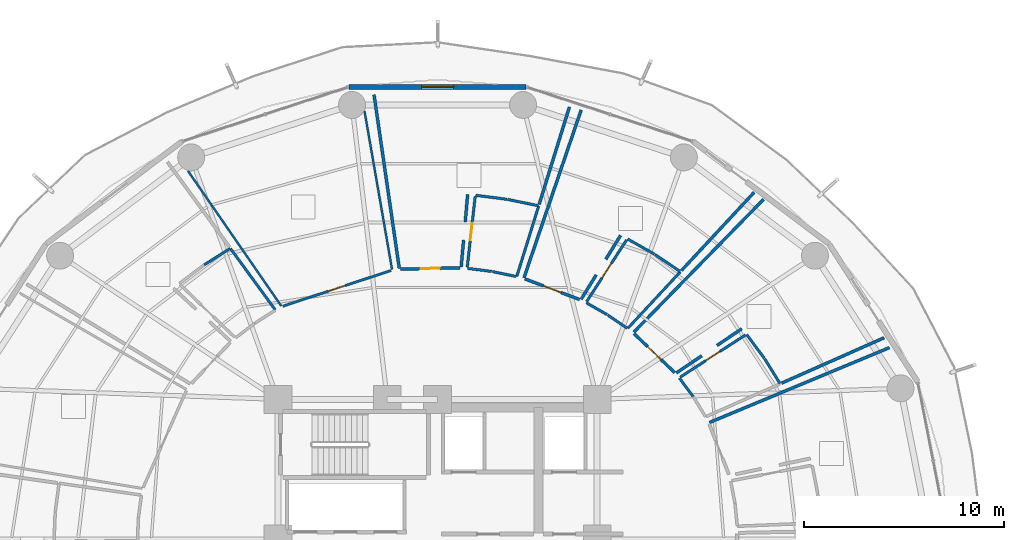
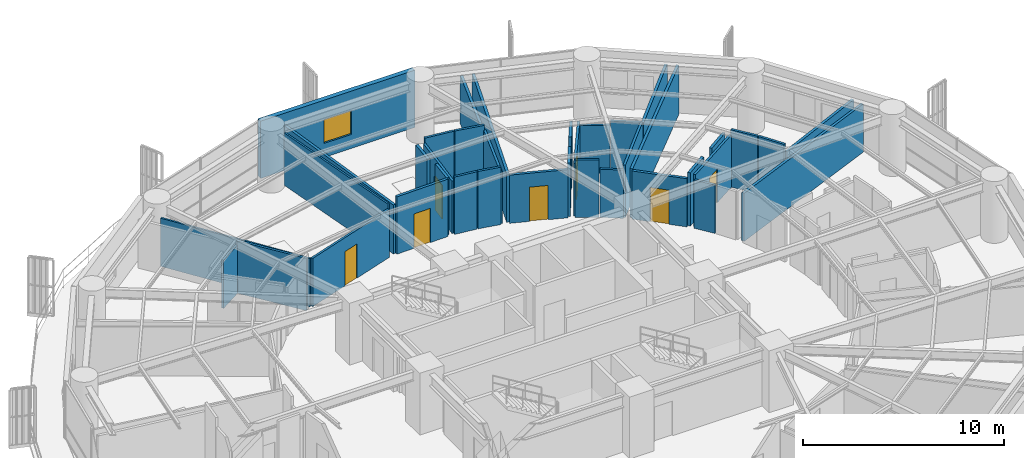
# One storey, part 30 of 35: 38 walls, 7 doors, 1 window, 8 openings.
"""IFC4 building model written with IfcOpenShell, lengths in metres."""

import ifcopenshell
import ifcopenshell.guid

model = None  # the IFC model being written
_history = None  # IfcOwnerHistory: only IFC2X3 demands one
_inside = {}  # id of a spatial element -> (the spatial element, [elements in it])
_under = {}  # id of a project, library or spatial element -> (it, [spatial elements below it])
_declared = {}  # id of a project -> (the project, [libraries it declares])
_typed = {}  # id of a type object -> (the type object, [elements of that type])
_made_of = {}  # id of a material, layer set ... -> (it, [elements and type objects made of it])


def new_model(schema):
    """Start an empty IFC model of exactly this schema.

    Asked for "IFC4X3", IfcOpenShell would pick the latest addendum, in which some entities
    have other attributes; the version numbers below select the first issue.
    IFC2X3 requires an IfcOwnerHistory on every rooted entity: one is made here for all.
    """
    global model, _history
    if schema == "IFC4X3":
        model = ifcopenshell.file(schema_version=(4, 3, 0, 0))
    else:
        model = ifcopenshell.file(schema=schema)
    _inside.clear()
    _under.clear()
    _declared.clear()
    _typed.clear()
    _made_of.clear()
    _history = None
    if model.schema == "IFC2X3":
        org = make("IfcOrganization", Name="unknown")
        user = make(
            "IfcPersonAndOrganization",
            ThePerson=make("IfcPerson", FamilyName="unknown"),
            TheOrganization=org,
        )
        app = make(
            "IfcApplication",
            ApplicationDeveloper=org,
            Version="unknown",
            ApplicationFullName="unknown",
            ApplicationIdentifier="unknown",
        )
        _history = make(
            "IfcOwnerHistory",
            OwningUser=user,
            OwningApplication=app,
            ChangeAction="ADDED",
            CreationDate=0,
        )
    return model


def make(cls, **values):
    """One entity of the class cls with the attributes given. An attribute that is None is left unset."""
    return model.create_entity(
        cls, **{name: value for name, value in values.items() if value is not None}
    )


def rooted(cls, **values):
    """An entity with a GlobalId (a new one), such as an element, a storey or a relation."""
    return make(cls, GlobalId=ifcopenshell.guid.new(), OwnerHistory=_history, **values)


def si_unit(unit_type, name, prefix=None):
    """IfcSIUnit, for example si_unit("LENGTHUNIT", "METRE", prefix="MILLI")."""
    return make("IfcSIUnit", UnitType=unit_type, Prefix=prefix, Name=name)


def assignment(units):
    """IfcUnitAssignment: the units of a project."""
    return None if units is None else make("IfcUnitAssignment", Units=units)


def point(xyz):
    """IfcCartesianPoint."""
    return None if xyz is None else make("IfcCartesianPoint", Coordinates=xyz)


def direction(xyz):
    """IfcDirection."""
    return None if xyz is None else make("IfcDirection", DirectionRatios=xyz)


def frame(location, z_axis=None, x_axis=None):
    """IfcAxis2Placement3D, a coordinate frame: its origin and axes. An axis left out is left unset."""
    return make(
        "IfcAxis2Placement3D",
        Location=point(location),
        Axis=direction(z_axis),
        RefDirection=direction(x_axis),
    )


def frame_2d(location, x_axis=None):
    """IfcAxis2Placement2D, a coordinate frame in the plane: its origin and x axis."""
    return make(
        "IfcAxis2Placement2D", Location=point(location), RefDirection=direction(x_axis)
    )


def origin():
    """The frame at (0, 0, 0) with its axes left unset."""
    return frame((0.0, 0.0, 0.0))


def place(relative_to, where):
    """IfcLocalPlacement: puts the frame where relative to a parent placement (None: the world)."""
    return make(
        "IfcLocalPlacement", PlacementRelTo=relative_to, RelativePlacement=where
    )


def context(
    kind, dimensions, precision=None, world=None, true_north=None, identifier=None
):
    """IfcGeometricRepresentationContext, for example the 3D "Model" context."""
    return make(
        "IfcGeometricRepresentationContext",
        ContextIdentifier=identifier,
        ContextType=kind,
        CoordinateSpaceDimension=dimensions,
        Precision=precision,
        WorldCoordinateSystem=world,
        TrueNorth=true_north,
    )


def subcontext(parent, identifier, kind, view, scale=None):
    """IfcGeometricRepresentationSubContext, for example "Body" below "Model"."""
    return make(
        "IfcGeometricRepresentationSubContext",
        ContextIdentifier=identifier,
        ContextType=kind,
        ParentContext=parent,
        TargetScale=scale,
        TargetView=view,
    )


def project(units=None, contexts=None):
    """IfcProject with its units and contexts."""
    return rooted(
        "IfcProject",
        Name="project",
        RepresentationContexts=contexts,
        UnitsInContext=assignment(units),
    )


def spatial(cls, under=None, at=None, **own):
    """A site, building, storey or space (cls), placed at a placement, below another one or the project."""
    s = rooted(cls, ObjectPlacement=at, **own)
    if under is not None:
        _under.setdefault(under.id(), (under, []))[1].append(s)
    return s


def profile(cls, at=None, kind="AREA", **sizes):
    """A parametric profile (cls). Its sizes go by their IFC names, for example OverallWidth=200.0."""
    return make(cls, ProfileType=kind, Position=at, **sizes)


def rectangle(**sizes):
    """IfcRectangleProfileDef."""
    return profile("IfcRectangleProfileDef", **sizes)


def extrude(swept, where, along, depth):
    """IfcExtrudedAreaSolid: the profile swept, set in the frame where, extruded along a direction by depth."""
    return make(
        "IfcExtrudedAreaSolid",
        SweptArea=swept,
        Position=where,
        ExtrudedDirection=direction(along),
        Depth=depth,
    )


def shape(context_of_items, identifier, shape_type, items):
    """IfcShapeRepresentation: the items that make up one representation, for example the "Body"."""
    return make(
        "IfcShapeRepresentation",
        ContextOfItems=context_of_items,
        RepresentationIdentifier=identifier,
        RepresentationType=shape_type,
        Items=items,
    )


def material(Name=None, Category=None):
    """IfcMaterial."""
    return make("IfcMaterial", Name=Name, Category=Category)


def layer(
    of_material, thickness, ventilated=None, Name=None, Category=None, Priority=None
):
    """IfcMaterialLayer: one layer of a wall or slab, of a material (None: an air gap)."""
    return make(
        "IfcMaterialLayer",
        Material=of_material,
        LayerThickness=thickness,
        IsVentilated=ventilated,
        Name=Name,
        Category=Category,
        Priority=Priority,
    )


def layer_set(layers, Name=None):
    """IfcMaterialLayerSet."""
    return make("IfcMaterialLayerSet", MaterialLayers=layers, LayerSetName=Name)


def made_of(thing, what):
    """Note that an element or type object is made of a material, layer set ...; save() writes the relation."""
    if what is not None:
        _made_of.setdefault(what.id(), (what, []))[1].append(thing)
    return thing


def type_object(cls, material=None, **own):
    """A type object (cls), such as IfcWallType, which elements share."""
    return made_of(rooted(cls, **own), material)


def element(
    cls,
    number,
    at=None,
    inside=None,
    cuts=None,
    type_object=None,
    material=None,
    context=None,
    identifier="Body",
    shape_type=None,
    held_by="IfcProductDefinitionShape",
    body=None,
    shapes=None,
    **own,
):
    """One element of the class cls, such as IfcWall. Its Tag is "e" and its number.

    at: its placement. inside: the storey or other place that contains it. cuts: it is an
    opening in that element (IfcRelVoidsElement). A single representation is given by context,
    identifier, shape_type and body (its items); several are given by shapes. held_by: the class
    of the entity that holds the representations. save() writes the other relations.
    """
    e = rooted(cls, Tag="e%d" % number, ObjectPlacement=at, **own)
    if body is not None:
        shapes = [shape(context, identifier, shape_type, body)]
    if shapes is not None:
        e.Representation = make(held_by, Representations=shapes)
    if inside is not None:
        _inside.setdefault(inside.id(), (inside, []))[1].append(e)
    if cuts is not None:
        rooted(
            "IfcRelVoidsElement", RelatingBuildingElement=cuts, RelatedOpeningElement=e
        )
    if type_object is not None:
        _typed.setdefault(type_object.id(), (type_object, []))[1].append(e)
    return made_of(e, material)


def fill(opening, filler):
    """IfcRelFillsElement: the door or window that sits in an opening."""
    return rooted(
        "IfcRelFillsElement",
        RelatingOpeningElement=opening,
        RelatedBuildingElement=filler,
    )


def aggregate(whole, parts):
    """IfcRelAggregates: a whole, such as a stair, and the parts it consists of."""
    return rooted("IfcRelAggregates", RelatingObject=whole, RelatedObjects=parts)


def save(model, path):
    """Write the relations noted so far, then the file.

    IfcRelAggregates (storeys below a building ...), IfcRelContainedInSpatialStructure (elements
    in a storey), IfcRelDefinesByType, IfcRelAssociatesMaterial and IfcRelDeclares: one each for
    every whole, place, type object, material and project.
    """
    for whole, parts in _under.values():
        aggregate(whole, parts)
    for where, things in _inside.values():
        rooted(
            "IfcRelContainedInSpatialStructure",
            RelatedElements=things,
            RelatingStructure=where,
        )
    for kind, things in _typed.values():
        rooted("IfcRelDefinesByType", RelatedObjects=things, RelatingType=kind)
    for what, things in _made_of.values():
        rooted("IfcRelAssociatesMaterial", RelatedObjects=things, RelatingMaterial=what)
    for by, libraries in _declared.values():
        rooted("IfcRelDeclares", RelatingContext=by, RelatedDefinitions=libraries)
    model.write(path)


model = new_model("IFC4")

# Units and contexts
model_context = context("Model", 3, precision=1e-05, world=origin(), true_north=direction((0.0, 1.0)))
body_context = subcontext(model_context, "Body", "Model", "MODEL_VIEW")
ifc_project = project(units=[si_unit("LENGTHUNIT", "METRE"), si_unit("AREAUNIT", "SQUARE_METRE"), si_unit("VOLUMEUNIT", "CUBIC_METRE"), si_unit("PLANEANGLEUNIT", "RADIAN"), si_unit("MASSUNIT", "GRAM", prefix="KILO")], contexts=[model_context])

# Site, building, storey
site_placement = place(None, origin())
site = spatial("IfcSite", under=ifc_project, at=site_placement, CompositionType="ELEMENT")
building_placement = place(site_placement, origin())
building = spatial("IfcBuilding", under=site, at=building_placement, Name="Kelanora Arch Commons", CompositionType="ELEMENT")
storey_placement = place(building_placement, frame((0.0, 0.0, 87.60009765625)))
storey = spatial("IfcBuildingStorey", under=building, at=storey_placement, Name="L22", CompositionType="ELEMENT", Elevation=87.60009765625)

# Wall, opening, door
ifc_material_1 = material(Name="Autoclaved aerated concrete blockwork with fire plaster", Category="masonry")
ifc_layer_1 = layer(ifc_material_1, 0.14990234375)
ifc_layer_set_1 = layer_set([ifc_layer_1], Name="Autoclaved aerated concrete blockwork with fire plaster")
wall_type_1 = type_object("IfcWallType", Name="W-COMP-150", PredefinedType="PARTITIONING", material=ifc_layer_set_1)
wall_1_placement = place(storey_placement, frame((85.881591796875, 66.33740234375, 0.0), z_axis=(0.0, 0.0, 1.0), x_axis=(-0.721698326825, 0.692207718144, 0.0)))
wall_1 = element("IfcWall", 1, at=wall_1_placement, inside=storey, type_object=wall_type_1, Name="Co-Living Studio L22-01 Entry Partition", PredefinedType="PARTITIONING", context=body_context, shape_type="SweptSolid", body=[
    extrude(rectangle(XDim=2.822998046875, YDim=0.14990234375, at=frame_2d((1.41162109375, 0.0))), origin(), (0.0, 0.0, 1.0), 2.9248046875),
])
opening_1_placement = place(wall_1_placement, frame((0.93603515625, 0.0, 0.0)))
opening_1 = element("IfcOpeningElement", 2, at=opening_1_placement, cuts=wall_1, Name="Opening D-CLU1", PredefinedType="OPENING", context=body_context, shape_type="SweptSolid", body=[
    extrude(rectangle(XDim=0.949951171875, YDim=2.080078125, at=frame_2d((0.47509765625, 1.0400390625))), frame((0.0, 0.0849609375, 0.0), z_axis=(0.0, -1.0, 0.0), x_axis=(1.0, 0.0, 0.0)), (0.0, 0.0, 1.0), 0.169921875),
])
ifc_material_2 = material(Name="Solid-core acoustic timber cluster entry fire door", Category="wood")
door_type_1 = type_object("IfcDoorType", Name="D-CLU-95", OperationType="NOTDEFINED", PredefinedType="DOOR", material=ifc_material_2)
door_1_placement = place(opening_1_placement, origin())
door_1 = element("IfcDoor", 3, at=door_1_placement, inside=storey, type_object=door_type_1, Name="Co-Living Studio L22-01 Door", OperationType="SINGLE_SWING_RIGHT", OverallHeight=2.080078125, OverallWidth=0.949951171875, PredefinedType="DOOR", context=body_context, shape_type="SweptSolid", body=[
    extrude(rectangle(XDim=0.949951171875, YDim=2.080078125, at=frame_2d((0.47509765625, 1.0400390625))), frame((0.0, 0.02490234375, 0.0), z_axis=(0.0, -1.0, 0.0), x_axis=(1.0, 0.0, 0.0)), (0.0, 0.0, 1.0), 0.050048828125),
])
fill(opening_1, door_1)

wall_2_placement = place(storey_placement, frame((81.116943359375, 69.999267578125, 0.0), z_axis=(0.0, 0.0, 1.0), x_axis=(-0.935632349103, 0.352976071868, 0.0)))
wall_2 = element("IfcWall", 4, at=wall_2_placement, inside=storey, type_object=wall_type_1, Name="Co-Living Studio L22-02 Entry Partition", PredefinedType="PARTITIONING", context=body_context, shape_type="SweptSolid", body=[
    extrude(rectangle(XDim=2.9306640625, YDim=0.14990234375, at=frame_2d((1.46533203125, 0.0))), origin(), (0.0, 0.0, 1.0), 2.9248046875),
])
opening_2_placement = place(wall_2_placement, frame((0.989990234375, 0.0, 0.0)))
opening_2 = element("IfcOpeningElement", 5, at=opening_2_placement, cuts=wall_2, Name="Opening D-CLU1", PredefinedType="OPENING", context=body_context, shape_type="SweptSolid", body=[
    extrude(rectangle(XDim=0.949951171875, YDim=2.080078125, at=frame_2d((0.47509765625, 1.0400390625))), frame((0.0, 0.0849609375, 0.0), z_axis=(0.0, -1.0, 0.0), x_axis=(1.0, 0.0, 0.0)), (0.0, 0.0, 1.0), 0.169921875),
])
door_2_placement = place(opening_2_placement, origin())
door_2 = element("IfcDoor", 6, at=door_2_placement, inside=storey, type_object=door_type_1, Name="Co-Living Studio L22-02 Door", OperationType="SINGLE_SWING_RIGHT", OverallHeight=2.080078125, OverallWidth=0.949951171875, PredefinedType="DOOR", context=body_context, shape_type="SweptSolid", body=[
    extrude(rectangle(XDim=0.949951171875, YDim=2.080078125, at=frame_2d((0.47509765625, 1.0400390625))), frame((0.0, 0.02490234375, 0.0), z_axis=(0.0, -1.0, 0.0), x_axis=(1.0, 0.0, 0.0)), (0.0, 0.0, 1.0), 0.050048828125),
])
fill(opening_2, door_2)

wall_3_placement = place(storey_placement, frame((75.12109375, 71.586669921875, 0.0), z_axis=(0.0, 0.0, 1.0), x_axis=(-0.999757617916, -0.022016026426, 0.0)))
wall_3 = element("IfcWall", 7, at=wall_3_placement, inside=storey, type_object=wall_type_1, Name="Co-Living Studio L22-03 Entry Partition", PredefinedType="PARTITIONING", context=body_context, shape_type="SweptSolid", body=[
    extrude(rectangle(XDim=2.971923828125, YDim=0.14990234375, at=frame_2d((1.48583984375, 0.0))), origin(), (0.0, 0.0, 1.0), 3.47998046875),
])
opening_3_placement = place(wall_3_placement, frame((1.010986328125, 0.0, 0.0)))
opening_3 = element("IfcOpeningElement", 8, at=opening_3_placement, cuts=wall_3, Name="Opening D-CLU1", PredefinedType="OPENING", context=body_context, shape_type="SweptSolid", body=[
    extrude(rectangle(XDim=0.949951171875, YDim=2.080078125, at=frame_2d((0.47509765625, 1.0400390625))), frame((0.0, 0.0849609375, 0.0), z_axis=(0.0, -1.0, 0.0), x_axis=(1.0, 0.0, 0.0)), (0.0, 0.0, 1.0), 0.169921875),
])
door_3_placement = place(opening_3_placement, origin())
door_3 = element("IfcDoor", 9, at=door_3_placement, inside=storey, type_object=door_type_1, Name="Co-Living Studio L22-03 Door", OperationType="SINGLE_SWING_RIGHT", OverallHeight=2.080078125, OverallWidth=0.949951171875, PredefinedType="DOOR", context=body_context, shape_type="SweptSolid", body=[
    extrude(rectangle(XDim=0.949951171875, YDim=2.080078125, at=frame_2d((0.47509765625, 1.0400390625))), frame((0.0, 0.02490234375, 0.0), z_axis=(0.0, -1.0, 0.0), x_axis=(1.0, 0.0, 0.0)), (0.0, 0.0, 1.0), 0.050048828125),
])
fill(opening_3, door_3)

# Walls
wall_4_placement = place(storey_placement, frame((83.828857421875, 68.361572265625, 0.0), z_axis=(0.0, 0.0, 1.0), x_axis=(0.698749209364, 0.715366718833, 0.0)))
element("IfcWall", 10, at=wall_4_placement, inside=storey, type_object=wall_type_1, Name="Co-Living Studio L22-01 Enclosure Partition 2", PredefinedType="PARTITIONING", context=body_context, shape_type="SweptSolid", body=[
    extrude(rectangle(XDim=9.2998046875, YDim=0.14990234375, at=frame_2d((4.64990234375, 0.0))), origin(), (0.0, 0.0, 1.0), 2.974853515625),
])
wall_5_placement = place(storey_placement, frame((96.369384765625, 68.084716796875, 0.0), z_axis=(0.0, 0.0, 1.0), x_axis=(-0.914319955381, -0.404992616219, 0.0)))
element("IfcWall", 11, at=wall_5_placement, inside=storey, type_object=wall_type_1, Name="Co-Living Studio L22-01 Enclosure Partition 5", PredefinedType="PARTITIONING", context=body_context, shape_type="SweptSolid", body=[
    extrude(rectangle(XDim=5.615966796875, YDim=0.14990234375, at=frame_2d((2.80810546875, 0.0))), origin(), (0.0, 0.0, 1.0), 2.974853515625),
])
wall_6_placement = place(storey_placement, frame((89.240966796875, 68.53662109375, 0.0), z_axis=(0.0, 0.0, 1.0), x_axis=(-0.828582854192, -0.559866460631, 0.0)))
element("IfcWall", 12, at=wall_6_placement, inside=storey, type_object=wall_type_1, Name="Co-Living Studio L22-01 Enclosure Partition 7", PredefinedType="PARTITIONING", context=body_context, shape_type="SweptSolid", body=[
    extrude(rectangle(XDim=1.501708984375, YDim=0.14990234375, at=frame_2d((0.7509765625, 0.0))), origin(), (0.0, 0.0, 1.0), 3.1748046875),
])
wall_7_placement = place(storey_placement, frame((87.23388671875, 67.1806640625, 0.0), z_axis=(0.0, 0.0, 1.0), x_axis=(-0.828521381114, -0.559957427879, 0.0)))
element("IfcWall", 13, at=wall_7_placement, inside=storey, type_object=wall_type_1, Name="Co-Living Studio L22-01 Enclosure Partition 7", PredefinedType="PARTITIONING", context=body_context, shape_type="SweptSolid", body=[
    extrude(rectangle(XDim=1.5400390625, YDim=0.14990234375, at=frame_2d((0.77001953125, 0.0))), origin(), (0.0, 0.0, 1.0), 3.23486328125),
])
wall_8_placement = place(storey_placement, frame((78.331787109375, 71.093017578125, 0.0), z_axis=(0.0, 0.0, 1.0), x_axis=(0.322500856516, 0.946569172088, 0.0)))
element("IfcWall", 14, at=wall_8_placement, inside=storey, type_object=wall_type_1, Name="Co-Living Studio L22-02 Enclosure Partition 2", PredefinedType="PARTITIONING", context=body_context, shape_type="SweptSolid", body=[
    extrude(rectangle(XDim=8.875244140625, YDim=0.14990234375, at=frame_2d((4.4375, 0.0))), origin(), (0.0, 0.0, 1.0), 2.9248046875),
])
wall_9_placement = place(storey_placement, frame((89.85791015625, 75.36669921875, 0.0), z_axis=(0.0, 0.0, 1.0), x_axis=(-0.680841843483, -0.732430463704, 0.0)))
element("IfcWall", 15, at=wall_9_placement, inside=storey, type_object=wall_type_1, Name="Co-Living Studio L22-02 Enclosure Partition 5", PredefinedType="PARTITIONING", context=body_context, shape_type="SweptSolid", body=[
    extrude(rectangle(XDim=5.343017578125, YDim=0.14990234375, at=frame_2d((2.67138671875, 0.0))), origin(), (0.0, 0.0, 1.0), 2.974853515625),
])
wall_10_placement = place(storey_placement, frame((83.1669921875, 73.2099609375, 0.0), z_axis=(0.0, 0.0, 1.0), x_axis=(-0.525107327047, -0.8510360128, 0.0)))
element("IfcWall", 16, at=wall_10_placement, inside=storey, type_object=wall_type_1, Name="Co-Living Studio L22-02 Enclosure Partition 7", PredefinedType="PARTITIONING", context=body_context, shape_type="SweptSolid", body=[
    extrude(rectangle(XDim=1.40234375, YDim=0.14990234375, at=frame_2d((0.701171875, 0.0))), origin(), (0.0, 0.0, 1.0), 3.1748046875),
])
wall_11_placement = place(storey_placement, frame((81.947509765625, 71.2333984375, 0.0), z_axis=(0.0, 0.0, 1.0), x_axis=(-0.52498935376, -0.851108793539, 0.0)))
element("IfcWall", 17, at=wall_11_placement, inside=storey, type_object=wall_type_1, Name="Co-Living Studio L22-02 Enclosure Partition 7", PredefinedType="PARTITIONING", context=body_context, shape_type="SweptSolid", body=[
    extrude(rectangle(XDim=1.43505859375, YDim=0.14990234375, at=frame_2d((0.717529296875, 0.0))), origin(), (0.0, 0.0, 1.0), 3.23486328125),
])
wall_12_placement = place(storey_placement, frame((72.084228515625, 71.5595703125, 0.0), z_axis=(0.0, 0.0, 1.0), x_axis=(-0.143952208647, 0.989584640961, 0.0)))
element("IfcWall", 18, at=wall_12_placement, inside=storey, type_object=wall_type_1, Name="Co-Living Studio L22-03 Enclosure Partition 2", PredefinedType="PARTITIONING", context=body_context, shape_type="SweptSolid", body=[
    extrude(rectangle(XDim=8.790283203125, YDim=0.14990234375, at=frame_2d((4.39501953125, 0.0))), origin(), (0.0, 0.0, 1.0), 2.974853515625),
])
wall_13_placement = place(storey_placement, frame((80.606201171875, 79.644775390625, 0.0), z_axis=(0.0, 0.0, 1.0), x_axis=(-0.2966895532, -0.954973983427, 0.0)))
element("IfcWall", 19, at=wall_13_placement, inside=storey, type_object=wall_type_1, Name="Co-Living Studio L22-03 Enclosure Partition 5", PredefinedType="PARTITIONING", context=body_context, shape_type="SweptSolid", body=[
    extrude(rectangle(XDim=5.104248046875, YDim=0.14990234375, at=frame_2d((2.55224609375, 0.0))), origin(), (0.0, 0.0, 1.0), 2.9248046875),
])
wall_14_placement = place(storey_placement, frame((75.50830078125, 75.253173828125, 0.0), z_axis=(0.0, 0.0, 1.0), x_axis=(-0.088846600374, -0.996045321058, 0.0)))
element("IfcWall", 20, at=wall_14_placement, inside=storey, type_object=wall_type_1, Name="Co-Living Studio L22-03 Enclosure Partition 7", PredefinedType="PARTITIONING", context=body_context, shape_type="SweptSolid", body=[
    extrude(rectangle(XDim=1.368408203125, YDim=0.14990234375, at=frame_2d((0.68408203125, 0.0))), origin(), (0.0, 0.0, 1.0), 3.1748046875),
])
wall_15_placement = place(storey_placement, frame((75.3046875, 72.973388671875, 0.0), z_axis=(0.0, 0.0, 1.0), x_axis=(-0.088906327267, -0.996039991653, 0.0)))
element("IfcWall", 21, at=wall_15_placement, inside=storey, type_object=wall_type_1, Name="Co-Living Studio L22-03 Enclosure Partition 7", PredefinedType="PARTITIONING", context=body_context, shape_type="SweptSolid", body=[
    extrude(rectangle(XDim=1.35107421875, YDim=0.14990234375, at=frame_2d((0.675537109375, 0.0))), origin(), (0.0, 0.0, 1.0), 3.47998046875),
])
wall_16_placement = place(storey_placement, frame((87.625, 63.84033203125, 0.0), z_axis=(0.0, 0.0, 1.0), x_axis=(0.92321744991, 0.384277946521, 0.0)))
element("IfcWall", 22, at=wall_16_placement, inside=storey, type_object=wall_type_1, Name="Co-Living Studio L22-15 Enclosure Partition 2", PredefinedType="PARTITIONING", context=body_context, shape_type="SweptSolid", body=[
    extrude(rectangle(XDim=9.76171875, YDim=0.14990234375, at=frame_2d((4.880859375, 0.0))), origin(), (0.0, 0.0, 1.0), 2.9248046875),
])

# Wall, opening, window
ifc_material_3 = material(Name="Precast concrete C40/50 with terracotta rainscreen", Category="masonry")
ifc_layer_2 = layer(ifc_material_3, 0.260009765625)
ifc_layer_set_2 = layer_set([ifc_layer_2], Name="Precast concrete C40/50 with terracotta rainscreen")
wall_type_2 = type_object("IfcWallType", Name="W-EXT-TC", PredefinedType="SOLIDWALL", material=ifc_layer_set_2)
wall_17_placement = place(storey_placement, frame((78.430419921875, 80.650634765625, 0.0), z_axis=(0.0, 0.0, 1.0), x_axis=(-1.0, 0.0, 0.0)))
wall_17 = element("IfcWall", 23, at=wall_17_placement, inside=storey, type_object=wall_type_2, Name="Terracotta Exterior Wall L22-B04", PredefinedType="SOLIDWALL", context=body_context, shape_type="SweptSolid", body=[
    extrude(rectangle(XDim=8.86083984375, YDim=0.260009765625, at=frame_2d((4.430419921875, 0.0))), origin(), (0.0, 0.0, 1.0), 3.474853515625),
])
opening_4_placement = place(wall_17_placement, frame((3.6298828125, 0.0, 0.85009765625)))
opening_4 = element("IfcOpeningElement", 24, at=opening_4_placement, cuts=wall_17, Name="Opening WN-01", PredefinedType="OPENING", context=body_context, shape_type="SweptSolid", body=[
    extrude(rectangle(XDim=1.60009765625, YDim=1.449951171875, at=frame_2d((0.800048828125, 0.72509765625))), frame((0.0, 0.14013671875, 0.0), z_axis=(0.0, -1.0, 0.0), x_axis=(1.0, 0.0, 0.0)), (0.0, 0.0, 1.0), 0.280029296875),
])
ifc_material_4 = material(Name="Terracotta-anodised aluminium frame with operable low-E glazing", Category="masonry")
window_type = type_object("IfcWindowType", Name="WIN-CL-18", PartitioningType="DOUBLE_PANEL_VERTICAL", PredefinedType="WINDOW", material=ifc_material_4)
window_placement = place(opening_4_placement, origin())
window = element("IfcWindow", 25, at=window_placement, inside=storey, type_object=window_type, Name="Co-Living Operable Window L22-B04", OverallHeight=1.449951171875, OverallWidth=1.60009765625, PartitioningType="SINGLE_PANEL", PredefinedType="WINDOW", context=body_context, shape_type="SweptSolid", body=[
    extrude(rectangle(XDim=1.60009765625, YDim=1.449951171875, at=frame_2d((0.800048828125, 0.72509765625))), frame((0.0, 0.030029296875, 0.0), z_axis=(0.0, -1.0, 0.0), x_axis=(1.0, 0.0, 0.0)), (0.0, 0.0, 1.0), 0.06005859375),
])
fill(opening_4, window)

# Walls
ifc_material_5 = material(Name="Lightweight fire-rated acoustic stud partition")
ifc_layer_3 = layer(ifc_material_5, 0.10009765625)
ifc_layer_set_3 = layer_set([ifc_layer_3], Name="Lightweight fire-rated acoustic stud partition")
wall_type_3 = type_object("IfcWallType", Name="W-PART-100", PredefinedType="PARTITIONING", material=ifc_layer_set_3)
wall_18_placement = place(storey_placement, frame((66.169189453125, 69.678955078125, 0.0), z_axis=(0.0, 0.0, 1.0), x_axis=(-0.568250117639, 0.822855882766, 0.0)))
element("IfcWall", 26, at=wall_18_placement, inside=storey, type_object=wall_type_3, Name="Communal Dining and Social Hall L22-04 Enclosure Partition 2", PredefinedType="PARTITIONING", context=body_context, shape_type="SweptSolid", body=[
    extrude(rectangle(XDim=8.216796875, YDim=0.10009765625, at=frame_2d((4.1083984375, 0.0))), origin(), (0.0, 0.0, 1.0), 2.9248046875),
])
wall_19_placement = place(storey_placement, frame((70.342529296875, 79.435791015625, 0.0), z_axis=(0.0, 0.0, 1.0), x_axis=(0.171306583965, -0.985217769983, 0.0)))
element("IfcWall", 27, at=wall_19_placement, inside=storey, type_object=wall_type_3, Name="Communal Dining and Social Hall L22-04 Enclosure Partition 4", PredefinedType="PARTITIONING", context=body_context, shape_type="SweptSolid", body=[
    extrude(rectangle(XDim=8.042236328125, YDim=0.10009765625, at=frame_2d((4.02099609375, 0.0))), origin(), (0.0, 0.0, 1.0), 3.1748046875),
])

# Wall, opening, door
ifc_material_6 = material(Name="Acoustic twin-stud fire-rated gypsum partition")
ifc_layer_4 = layer(ifc_material_6, 0.1201171875)
ifc_layer_set_4 = layer_set([ifc_layer_4], Name="Acoustic twin-stud fire-rated gypsum partition")
wall_type_4 = type_object("IfcWallType", Name="W-PART-120", PredefinedType="PARTITIONING", material=ifc_layer_set_4)
wall_20_placement = place(storey_placement, frame((71.669921875, 71.4541015625, 0.0), z_axis=(0.0, 0.0, 1.0), x_axis=(-0.949607265123, -0.313442246716, 0.0)))
wall_20 = element("IfcWall", 28, at=wall_20_placement, inside=storey, type_object=wall_type_4, Name="Communal Dining and Social Hall L22-04 Entry Partition", PredefinedType="PARTITIONING", context=body_context, shape_type="SweptSolid", body=[
    extrude(rectangle(XDim=5.70849609375, YDim=0.1201171875, at=frame_2d((2.854248046875, 0.0))), origin(), (0.0, 0.0, 1.0), 2.9248046875),
])
opening_5_placement = place(wall_20_placement, frame((2.404052734375, 0.0, 0.0)))
opening_5 = element("IfcOpeningElement", 29, at=opening_5_placement, cuts=wall_20, Name="Opening D-RM1", PredefinedType="OPENING", context=body_context, shape_type="SweptSolid", body=[
    extrude(rectangle(XDim=0.89990234375, YDim=2.080078125, at=frame_2d((0.449951171875, 1.0400390625))), frame((0.0, 0.070068359375, 0.0), z_axis=(0.0, -1.0, 0.0), x_axis=(1.0, 0.0, 0.0)), (0.0, 0.0, 1.0), 0.14013671875),
])
ifc_material_7 = material(Name="Acoustic fire-rated timber study and lounge door", Category="wood")
door_type_2 = type_object("IfcDoorType", Name="D-ROOM-90", OperationType="NOTDEFINED", PredefinedType="DOOR", material=ifc_material_7)
door_4_placement = place(opening_5_placement, origin())
door_4 = element("IfcDoor", 30, at=door_4_placement, inside=storey, type_object=door_type_2, Name="Communal Dining and Social Hall L22-04 Door", OperationType="SINGLE_SWING_LEFT", OverallHeight=2.080078125, OverallWidth=0.89990234375, PredefinedType="DOOR", context=body_context, shape_type="SweptSolid", body=[
    extrude(rectangle(XDim=0.89990234375, YDim=2.080078125, at=frame_2d((0.449951171875, 1.0400390625))), frame((0.0, 0.02490234375, 0.0), z_axis=(0.0, -1.0, 0.0), x_axis=(1.0, 0.0, 0.0)), (0.0, 0.0, 1.0), 0.050048828125),
])
fill(opening_5, door_4)

ifc_material_8 = material(Name="Moisture-resistant fire-rated cement-board plumbing wall")
ifc_layer_5 = layer(ifc_material_8, 0.1298828125)
ifc_layer_set_5 = layer_set([ifc_layer_5], Name="Moisture-resistant fire-rated cement-board plumbing wall")
wall_type_5 = type_object("IfcWallType", Name="W-WET-120", PredefinedType="PLUMBINGWALL", material=ifc_layer_set_5)
wall_21_placement = place(storey_placement, frame((86.156494140625, 66.110595703125, 0.0), z_axis=(0.0, 0.0, 1.0), x_axis=(0.839597088747, 0.543209654339, 0.0)))
wall_21 = element("IfcWall", 31, at=wall_21_placement, inside=storey, type_object=wall_type_5, Name="En-Suite Shower WC L22-01 Entry Partition", PredefinedType="PLUMBINGWALL", context=body_context, shape_type="SweptSolid", body=[
    extrude(rectangle(XDim=3.891357421875, YDim=0.1298828125, at=frame_2d((1.94580078125, 0.0))), origin(), (0.0, 0.0, 1.0), 3.1748046875),
])
opening_6_placement = place(wall_21_placement, frame((1.51611328125, 0.0, 0.0)))
opening_6 = element("IfcOpeningElement", 32, at=opening_6_placement, cuts=wall_21, Name="Opening D-BT1", PredefinedType="OPENING", context=body_context, shape_type="SweptSolid", body=[
    extrude(rectangle(XDim=0.860107421875, YDim=2.050048828125, at=frame_2d((0.43017578125, 1.02490234375))), frame((0.0, 0.074951171875, 0.0), z_axis=(0.0, -1.0, 0.0), x_axis=(1.0, 0.0, 0.0)), (0.0, 0.0, 1.0), 0.14990234375),
])
ifc_material_9 = material(Name="Moisture-sealed fire-rated accessible bathroom door")
door_type_3 = type_object("IfcDoorType", Name="D-BATH-85", OperationType="NOTDEFINED", PredefinedType="DOOR", material=ifc_material_9)
door_5_placement = place(opening_6_placement, origin())
door_5 = element("IfcDoor", 33, at=door_5_placement, inside=storey, type_object=door_type_3, Name="En-Suite Shower WC L22-01 Door", OperationType="SINGLE_SWING_LEFT", OverallHeight=2.050048828125, OverallWidth=0.860107421875, PredefinedType="DOOR", context=body_context, shape_type="SweptSolid", body=[
    extrude(rectangle(XDim=0.860107421875, YDim=2.050048828125, at=frame_2d((0.43017578125, 1.02490234375))), frame((0.0, 0.02490234375, 0.0), z_axis=(0.0, -1.0, 0.0), x_axis=(1.0, 0.0, 0.0)), (0.0, 0.0, 1.0), 0.050048828125),
])
fill(opening_6, door_5)

wall_22_placement = place(storey_placement, frame((81.469482421875, 69.8955078125, 0.0), z_axis=(0.0, 0.0, 1.0), x_axis=(0.543429789712, 0.839454622748, 0.0)))
wall_22 = element("IfcWall", 34, at=wall_22_placement, inside=storey, type_object=wall_type_5, Name="En-Suite Shower WC L22-02 Entry Partition", PredefinedType="PLUMBINGWALL", context=body_context, shape_type="SweptSolid", body=[
    extrude(rectangle(XDim=3.685791015625, YDim=0.1298828125, at=frame_2d((1.8427734375, 0.0))), origin(), (0.0, 0.0, 1.0), 3.1748046875),
])
opening_7_placement = place(wall_22_placement, frame((1.4130859375, 0.0, 0.0)))
opening_7 = element("IfcOpeningElement", 35, at=opening_7_placement, cuts=wall_22, Name="Opening D-BT1", PredefinedType="OPENING", context=body_context, shape_type="SweptSolid", body=[
    extrude(rectangle(XDim=0.860107421875, YDim=2.050048828125, at=frame_2d((0.43017578125, 1.02490234375))), frame((0.0, 0.074951171875, 0.0), z_axis=(0.0, -1.0, 0.0), x_axis=(1.0, 0.0, 0.0)), (0.0, 0.0, 1.0), 0.14990234375),
])
door_6_placement = place(opening_7_placement, origin())
door_6 = element("IfcDoor", 36, at=door_6_placement, inside=storey, type_object=door_type_3, Name="En-Suite Shower WC L22-02 Door", OperationType="SINGLE_SWING_LEFT", OverallHeight=2.050048828125, OverallWidth=0.860107421875, PredefinedType="DOOR", context=body_context, shape_type="SweptSolid", body=[
    extrude(rectangle(XDim=0.860107421875, YDim=2.050048828125, at=frame_2d((0.43017578125, 1.02490234375))), frame((0.0, 0.02490234375, 0.0), z_axis=(0.0, -1.0, 0.0), x_axis=(1.0, 0.0, 0.0)), (0.0, 0.0, 1.0), 0.050048828125),
])
fill(opening_7, door_6)

wall_23_placement = place(storey_placement, frame((75.48779296875, 71.62353515625, 0.0), z_axis=(0.0, 0.0, 1.0), x_axis=(0.111853147635, 0.993724747284, 0.0)))
wall_23 = element("IfcWall", 37, at=wall_23_placement, inside=storey, type_object=wall_type_5, Name="En-Suite Shower WC L22-03 Entry Partition", PredefinedType="PLUMBINGWALL", context=body_context, shape_type="SweptSolid", body=[
    extrude(rectangle(XDim=3.562255859375, YDim=0.1298828125, at=frame_2d((1.78125, 0.0))), origin(), (0.0, 0.0, 1.0), 3.1748046875),
])
opening_8_placement = place(wall_23_placement, frame((1.35107421875, 0.0, 0.0)))
opening_8 = element("IfcOpeningElement", 38, at=opening_8_placement, cuts=wall_23, Name="Opening D-BT1", PredefinedType="OPENING", context=body_context, shape_type="SweptSolid", body=[
    extrude(rectangle(XDim=0.860107421875, YDim=2.050048828125, at=frame_2d((0.43017578125, 1.02490234375))), frame((0.0, 0.074951171875, 0.0), z_axis=(0.0, -1.0, 0.0), x_axis=(1.0, 0.0, 0.0)), (0.0, 0.0, 1.0), 0.14990234375),
])
door_7_placement = place(opening_8_placement, origin())
door_7 = element("IfcDoor", 39, at=door_7_placement, inside=storey, type_object=door_type_3, Name="En-Suite Shower WC L22-03 Door", OperationType="SINGLE_SWING_LEFT", OverallHeight=2.050048828125, OverallWidth=0.860107421875, PredefinedType="DOOR", context=body_context, shape_type="SweptSolid", body=[
    extrude(rectangle(XDim=0.860107421875, YDim=2.050048828125, at=frame_2d((0.43017578125, 1.02490234375))), frame((0.0, 0.02490234375, 0.0), z_axis=(0.0, -1.0, 0.0), x_axis=(1.0, 0.0, 0.0)), (0.0, 0.0, 1.0), 0.050048828125),
])
fill(opening_8, door_7)

# Walls
wall_24_placement = place(storey_placement, frame((86.800048828125, 65.14208984375, 0.0), z_axis=(0.0, 0.0, 1.0), x_axis=(-0.595625136946, 0.803262532574, 0.0)))
element("IfcWall", 40, at=wall_24_placement, inside=storey, type_object=wall_type_5, Name="En-Suite Shower WC L22-01 Enclosure Partition 2", PredefinedType="PLUMBINGWALL", context=body_context, shape_type="SweptSolid", body=[
    extrude(rectangle(XDim=1.145263671875, YDim=0.1298828125, at=frame_2d((0.57275390625, 0.0))), origin(), (0.0, 0.0, 1.0), 2.9248046875),
])
wall_25_placement = place(storey_placement, frame((89.486083984375, 68.240966796875, 0.0), z_axis=(0.0, 0.0, 1.0), x_axis=(0.598215175904, -0.801335512328, 0.0)))
element("IfcWall", 41, at=wall_25_placement, inside=storey, type_object=wall_type_5, Name="En-Suite Shower WC L22-01 Enclosure Partition 4", PredefinedType="PLUMBINGWALL", context=body_context, shape_type="SweptSolid", body=[
    extrude(rectangle(XDim=1.467529296875, YDim=0.1298828125, at=frame_2d((0.73388671875, 0.0))), origin(), (0.0, 0.0, 1.0), 3.47998046875),
])
wall_26_placement = place(storey_placement, frame((90.386474609375, 67.031982421875, 0.0), z_axis=(0.0, 0.0, 1.0), x_axis=(0.525910281035, -0.850540049793, 0.0)))
element("IfcWall", 42, at=wall_26_placement, inside=storey, type_object=wall_type_5, Name="En-Suite Shower WC L22-01 Enclosure Partition 5", PredefinedType="PLUMBINGWALL", context=body_context, shape_type="SweptSolid", body=[
    extrude(rectangle(XDim=1.456787109375, YDim=0.1298828125, at=frame_2d((0.728515625, 0.0))), origin(), (0.0, 0.0, 1.0), 3.47998046875),
])
wall_27_placement = place(storey_placement, frame((83.50341796875, 68.558349609375, 0.0), z_axis=(0.0, 0.0, 1.0), x_axis=(-0.826715543633, 0.56262012932, 0.0)))
element("IfcWall", 43, at=wall_27_placement, inside=storey, type_object=wall_type_5, Name="En-Suite Shower WC L22-02 Enclosure Partition 1", PredefinedType="PLUMBINGWALL", context=body_context, shape_type="SweptSolid", body=[
    extrude(rectangle(XDim=1.184326171875, YDim=0.1298828125, at=frame_2d((0.59228515625, 0.0))), origin(), (0.0, 0.0, 1.0), 2.9248046875),
])
wall_28_placement = place(storey_placement, frame((82.490478515625, 69.245849609375, 0.0), z_axis=(0.0, 0.0, 1.0), x_axis=(-0.869224537935, 0.494417538778, 0.0)))
element("IfcWall", 44, at=wall_28_placement, inside=storey, type_object=wall_type_5, Name="En-Suite Shower WC L22-02 Enclosure Partition 2", PredefinedType="PLUMBINGWALL", context=body_context, shape_type="SweptSolid", body=[
    extrude(rectangle(XDim=1.192138671875, YDim=0.1298828125, at=frame_2d((0.59619140625, 0.0))), origin(), (0.0, 0.0, 1.0), 3.47998046875),
])
wall_29_placement = place(storey_placement, frame((83.5224609375, 73.0302734375, 0.0), z_axis=(0.0, 0.0, 1.0), x_axis=(0.870915556508, -0.491432694713, 0.0)))
element("IfcWall", 45, at=wall_29_placement, inside=storey, type_object=wall_type_5, Name="En-Suite Shower WC L22-02 Enclosure Partition 4", PredefinedType="PLUMBINGWALL", context=body_context, shape_type="SweptSolid", body=[
    extrude(rectangle(XDim=1.533203125, YDim=0.1298828125, at=frame_2d((0.7666015625, 0.0))), origin(), (0.0, 0.0, 1.0), 2.9248046875),
])
wall_30_placement = place(storey_placement, frame((84.8916015625, 72.255859375, 0.0), z_axis=(0.0, 0.0, 1.0), x_axis=(0.828476223524, -0.560024237917, 0.0)))
element("IfcWall", 46, at=wall_30_placement, inside=storey, type_object=wall_type_5, Name="En-Suite Shower WC L22-02 Enclosure Partition 5", PredefinedType="PLUMBINGWALL", context=body_context, shape_type="SweptSolid", body=[
    extrude(rectangle(XDim=1.5205078125, YDim=0.1298828125, at=frame_2d((0.76025390625, 0.0))), origin(), (0.0, 0.0, 1.0), 3.1748046875),
])
wall_31_placement = place(storey_placement, frame((86.154296875, 71.37841796875, 0.0), z_axis=(0.0, 0.0, 1.0), x_axis=(-0.681137169266, -0.732155828116, 0.0)))
element("IfcWall", 47, at=wall_31_placement, inside=storey, type_object=wall_type_5, Name="En-Suite Shower WC L22-02 Enclosure Partition 6", PredefinedType="PLUMBINGWALL", context=body_context, shape_type="SweptSolid", body=[
    extrude(rectangle(XDim=3.847412109375, YDim=0.1298828125, at=frame_2d((1.923828125, 0.0))), origin(), (0.0, 0.0, 1.0), 3.1748046875),
])
wall_32_placement = place(storey_placement, frame((77.9462890625, 71.151123046875, 0.0), z_axis=(0.0, 0.0, 1.0), x_axis=(-0.979121805859, 0.203274418684, 0.0)))
element("IfcWall", 48, at=wall_32_placement, inside=storey, type_object=wall_type_5, Name="En-Suite Shower WC L22-03 Enclosure Partition 1", PredefinedType="PLUMBINGWALL", context=body_context, shape_type="SweptSolid", body=[
    extrude(rectangle(XDim=1.218994140625, YDim=0.1298828125, at=frame_2d((0.609375, 0.0))), origin(), (0.0, 0.0, 1.0), 3.47998046875),
])
wall_33_placement = place(storey_placement, frame((76.713134765625, 71.405517578125, 0.0), z_axis=(0.0, 0.0, 1.0), x_axis=(-0.991848040681, 0.127426308891, 0.0)))
element("IfcWall", 49, at=wall_33_placement, inside=storey, type_object=wall_type_5, Name="En-Suite Shower WC L22-03 Enclosure Partition 2", PredefinedType="PLUMBINGWALL", context=body_context, shape_type="SweptSolid", body=[
    extrude(rectangle(XDim=1.222412109375, YDim=0.1298828125, at=frame_2d((0.611328125, 0.0))), origin(), (0.0, 0.0, 1.0), 3.47998046875),
])
wall_34_placement = place(storey_placement, frame((75.912841796875, 75.220458984375, 0.0), z_axis=(0.0, 0.0, 1.0), x_axis=(0.991898711333, -0.127031281405, 0.0)))
element("IfcWall", 50, at=wall_34_placement, inside=storey, type_object=wall_type_5, Name="En-Suite Shower WC L22-03 Enclosure Partition 4", PredefinedType="PLUMBINGWALL", context=body_context, shape_type="SweptSolid", body=[
    extrude(rectangle(XDim=1.573974609375, YDim=0.1298828125, at=frame_2d((0.787109375, 0.0))), origin(), (0.0, 0.0, 1.0), 3.47998046875),
])
wall_35_placement = place(storey_placement, frame((77.513671875, 75.013916015625, 0.0), z_axis=(0.0, 0.0, 1.0), x_axis=(0.979487788462, -0.201503529137, 0.0)))
element("IfcWall", 51, at=wall_35_placement, inside=storey, type_object=wall_type_5, Name="En-Suite Shower WC L22-03 Enclosure Partition 5", PredefinedType="PLUMBINGWALL", context=body_context, shape_type="SweptSolid", body=[
    extrude(rectangle(XDim=1.56787109375, YDim=0.1298828125, at=frame_2d((0.783935546875, 0.0))), origin(), (0.0, 0.0, 1.0), 3.47998046875),
])
wall_36_placement = place(storey_placement, frame((79.06298828125, 74.6748046875, 0.0), z_axis=(0.0, 0.0, 1.0), x_axis=(-0.296927892497, -0.954899903999, 0.0)))
element("IfcWall", 52, at=wall_36_placement, inside=storey, type_object=wall_type_5, Name="En-Suite Shower WC L22-03 Enclosure Partition 6", PredefinedType="PLUMBINGWALL", context=body_context, shape_type="SweptSolid", body=[
    extrude(rectangle(XDim=3.674560546875, YDim=0.1298828125, at=frame_2d((1.83740234375, 0.0))), origin(), (0.0, 0.0, 1.0), 3.1748046875),
])
wall_37_placement = place(storey_placement, frame((62.31591796875, 71.73779296875, 0.0), z_axis=(0.0, 0.0, 1.0), x_axis=(0.844925229622, 0.534884432703, 0.0)))
element("IfcWall", 53, at=wall_37_placement, inside=storey, type_object=wall_type_5, Name="En-Suite Shower WC L22-05 Enclosure Partition 5", PredefinedType="PLUMBINGWALL", context=body_context, shape_type="SweptSolid", body=[
    extrude(rectangle(XDim=1.5244140625, YDim=0.1298828125, at=frame_2d((0.76220703125, 0.0))), origin(), (0.0, 0.0, 1.0), 2.9248046875),
])
wall_38_placement = place(storey_placement, frame((63.6328125, 72.5478515625, 0.0), z_axis=(0.0, 0.0, 1.0), x_axis=(0.589656455867, -0.807654173551, 0.0)))
element("IfcWall", 54, at=wall_38_placement, inside=storey, type_object=wall_type_5, Name="En-Suite Shower WC L22-05 Enclosure Partition 6", PredefinedType="PLUMBINGWALL", context=body_context, shape_type="SweptSolid", body=[
    extrude(rectangle(XDim=3.791015625, YDim=0.1298828125, at=frame_2d((1.8955078125, 0.0))), origin(), (0.0, 0.0, 1.0), 3.1748046875),
])

save(model, "model.ifc")
